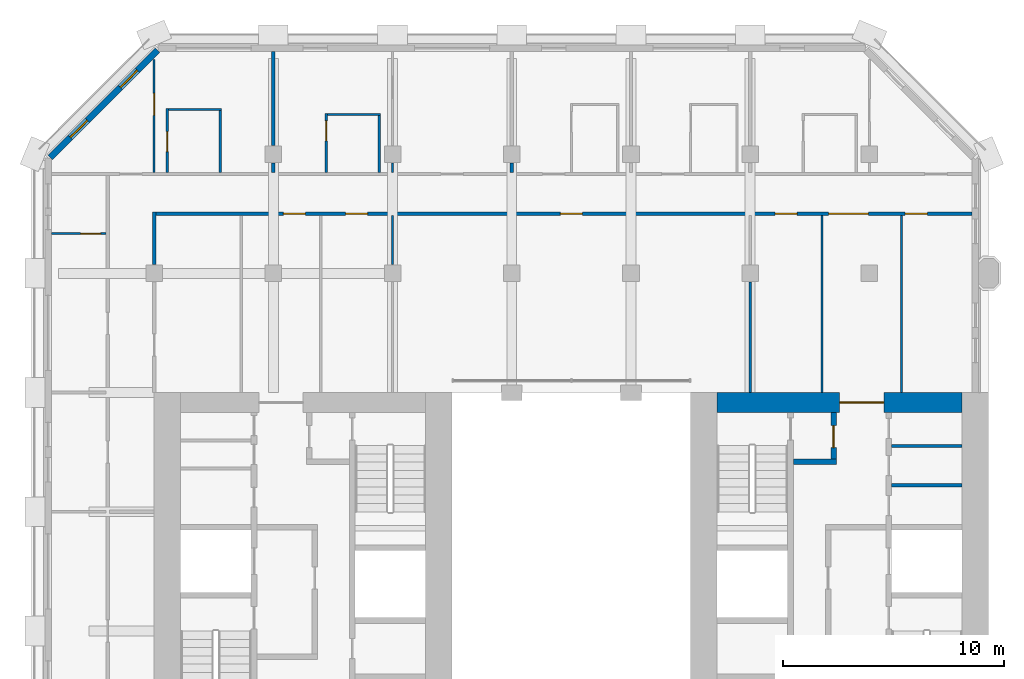
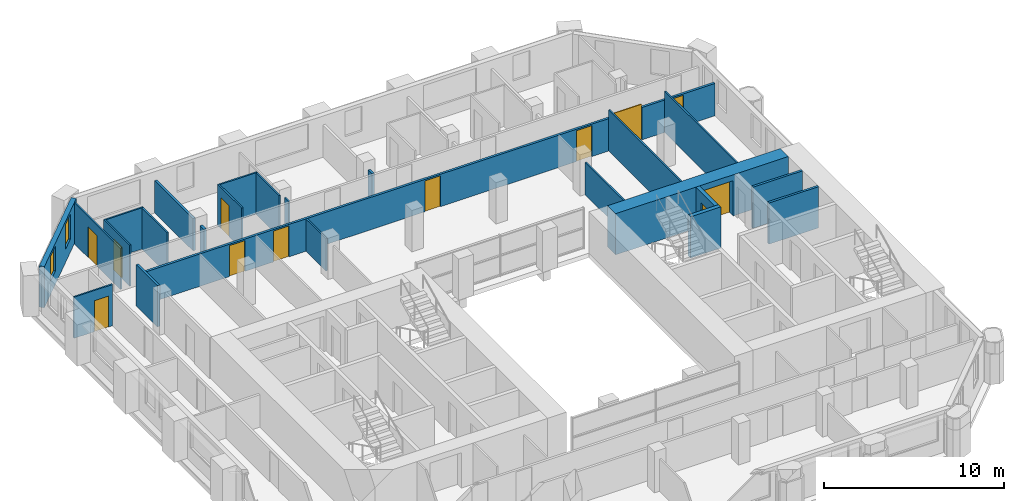
# One storey, part 9 of 14: 24 walls, 12 doors, 2 windows, 14 openings.
"""IFC4 building model written with IfcOpenShell, lengths in metres."""

from ifc_helpers import new_model, si_unit, direction, frame, frame_2d, origin, place, context, subcontext, project, spatial, rectangle, extrude, material, layer, layer_set, type_object, element, fill, save


model = new_model("IFC4")

# Units and contexts
model_context = context("Model", 3, precision=1e-05, world=origin(), true_north=direction((0.0, 1.0)))
body_context = subcontext(model_context, "Body", "Model", "MODEL_VIEW")
ifc_project = project(units=[si_unit("LENGTHUNIT", "METRE"), si_unit("AREAUNIT", "SQUARE_METRE"), si_unit("VOLUMEUNIT", "CUBIC_METRE"), si_unit("PLANEANGLEUNIT", "RADIAN"), si_unit("MASSUNIT", "GRAM", prefix="KILO")], contexts=[model_context])

# Site, building, storey
site_placement = place(None, origin())
site = spatial("IfcSite", under=ifc_project, at=site_placement, CompositionType="ELEMENT")
building_placement = place(site_placement, origin())
building = spatial("IfcBuilding", under=site, at=building_placement, Name="Tabaq Tower and Sports Hall", CompositionType="ELEMENT")
storey_placement = place(building_placement, frame((0.0, 0.0, 230.199951171875)))
storey = spatial("IfcBuildingStorey", under=building, at=storey_placement, Name="L58", CompositionType="ELEMENT", Elevation=230.199951171875)

# Walls
ifc_material_1 = material(Name="Blockwork", Category="masonry")
ifc_layer_1 = layer(ifc_material_1, 0.14990234375)
ifc_layer_set_1 = layer_set([ifc_layer_1], Name="Core room partition 150 Blockwork")
wall_type_1 = type_object("IfcWallType", Name="Core room partition 150 Blockwork", PredefinedType="PARTITIONING", material=ifc_layer_set_1)
for number, where, z_axis, x_axis, name in (
    (1, (38.800048828125, 28.200927734375, 0.0), (0.0, 0.0, 1.0), (1.0, 0.0, 0.0), "Core room partition E L58"),
    (2, (38.800048828125, 29.97705078125, 0.0), (0.0, 0.0, 1.0), (1.0, 0.0, 0.0), "Core room partition E L58"),
):
    element("IfcWall", number, at=place(storey_placement, frame(where, z_axis=z_axis, x_axis=x_axis)), inside=storey, type_object=wall_type_1, Name=name, PredefinedType="PARTITIONING", context=body_context, shape_type="SweptSolid", body=[
        extrude(rectangle(XDim=3.199951171875, YDim=0.14990234375, at=frame_2d((1.60009765625, 0.0))), origin(), (0.0, 0.0, 1.0), 2.800048828125),
    ])

# Wall, opening, door
ifc_material_2 = material(Name="Concrete C50/60", Category="concrete")
ifc_layer_2 = layer(ifc_material_2, 0.89990234375)
ifc_layer_set_2 = layer_set([ifc_layer_2], Name="Core wall 900 Concrete C50/60")
wall_type_2 = type_object("IfcWallType", Name="Core wall 900 Concrete C50/60", PredefinedType="SOLIDWALL", material=ifc_layer_set_2)
wall_1_placement = place(storey_placement, frame((30.89990234375, 31.949951171875, 0.0), z_axis=(0.0, 0.0, 1.0), x_axis=(1.0, 0.0, 0.0)))
wall_1 = element("IfcWall", 3, at=wall_1_placement, inside=storey, type_object=wall_type_2, Name="Core wall E L58", PredefinedType="SOLIDWALL", context=body_context, shape_type="SweptSolid", body=[
    extrude(rectangle(XDim=11.10009765625, YDim=0.89990234375, at=frame_2d((5.550048828125, 0.0))), origin(), (0.0, 0.0, 1.0), 2.800048828125),
])
opening_1_placement = place(wall_1_placement, frame((5.550048828125, 0.0, 0.0)))
opening_1 = element("IfcOpeningElement", 4, at=opening_1_placement, cuts=wall_1, Name="Opening PD-EL58-02", PredefinedType="OPENING", context=body_context, shape_type="SweptSolid", body=[
    extrude(rectangle(XDim=2.0, YDim=2.39990234375, at=frame_2d((1.0, 1.199951171875))), frame((0.0, 0.449951171875, 0.0), z_axis=(0.0, -1.0, 0.0), x_axis=(1.0, 0.0, 0.0)), (0.0, 0.0, 1.0), 0.89990234375),
])
ifc_material_3 = material(Name="Steel fire door", Category="steel")
door_type_1 = type_object("IfcDoorType", Name="Core entrance door 2000", OperationType="DOUBLE_DOOR_SINGLE_SWING", PredefinedType="DOOR", material=ifc_material_3)
door_1_placement = place(opening_1_placement, origin())
door_1 = element("IfcDoor", 5, at=door_1_placement, inside=storey, type_object=door_type_1, Name="Core entrance north E L58", OperationType="DOUBLE_DOOR_SINGLE_SWING", OverallHeight=2.39990234375, OverallWidth=2.0, PredefinedType="DOOR", context=body_context, shape_type="SweptSolid", body=[
    extrude(rectangle(XDim=2.0, YDim=2.39990234375, at=frame_2d((1.0, 1.199951171875))), frame((0.0, 0.02490234375, 0.0), z_axis=(0.0, -1.0, 0.0), x_axis=(1.0, 0.0, 0.0)), (0.0, 0.0, 1.0), 0.050048828125),
])
fill(opening_1, door_1)

ifc_material_4 = material(Name="Gypsum board on steel studs", Category="steel")
ifc_layer_3 = layer(ifc_material_4, 0.10009765625)
ifc_layer_set_3 = layer_set([ifc_layer_3], Name="Partition 100 Gypsum board")
wall_type_3 = type_object("IfcWallType", Name="Partition 100 Gypsum board", PredefinedType="PARTITIONING", material=ifc_layer_set_3)
wall_2_placement = place(storey_placement, frame((3.22509765625, 39.60009765625, 0.0), z_axis=(0.0, 0.0, 1.0), x_axis=(-1.0, 0.0, 0.0)))
wall_2 = element("IfcWall", 6, at=wall_2_placement, inside=storey, type_object=wall_type_3, Name="Partition wall L58", PredefinedType="PARTITIONING", context=body_context, shape_type="SweptSolid", body=[
    extrude(rectangle(XDim=2.47412109375, YDim=0.10009765625, at=frame_2d((1.237060546875, 0.0))), origin(), (0.0, 0.0, 1.0), 2.800048828125),
])
opening_2_placement = place(wall_2_placement, frame((0.25, 0.0, 0.0)))
opening_2 = element("IfcOpeningElement", 7, at=opening_2_placement, cuts=wall_2, Name="Opening L58-001", PredefinedType="OPENING", context=body_context, shape_type="SweptSolid", body=[
    extrude(rectangle(XDim=0.89990234375, YDim=2.10009765625, at=frame_2d((0.449951171875, 1.050048828125))), frame((0.0, 0.050048828125, 0.0), z_axis=(0.0, -1.0, 0.0), x_axis=(1.0, 0.0, 0.0)), (0.0, 0.0, 1.0), 0.10009765625),
])
ifc_material_5 = material(Name="Timber leaf in steel frame", Category="steel")
door_type_2 = type_object("IfcDoorType", Name="Internal door 900 right hand", OperationType="SINGLE_SWING_RIGHT", PredefinedType="DOOR", material=ifc_material_5)
door_2_placement = place(opening_2_placement, origin())
door_2 = element("IfcDoor", 8, at=door_2_placement, inside=storey, type_object=door_type_2, Name="Internal door L58-001", OperationType="SINGLE_SWING_RIGHT", OverallHeight=2.10009765625, OverallWidth=0.89990234375, PredefinedType="DOOR", context=body_context, shape_type="SweptSolid", body=[
    extrude(rectangle(XDim=0.89990234375, YDim=2.10009765625, at=frame_2d((0.449951171875, 1.050048828125))), frame((0.0, 0.02490234375, 0.0), z_axis=(0.0, -1.0, 0.0), x_axis=(1.0, 0.0, 0.0)), (0.0, 0.0, 1.0), 0.050048828125),
])
fill(opening_2, door_2)

wall_3_placement = place(storey_placement, frame((13.199951171875, 42.375, 0.0), z_axis=(0.0, 0.0, 1.0), x_axis=(0.0, 1.0, 0.0)))
wall_3 = element("IfcWall", 9, at=wall_3_placement, inside=storey, type_object=wall_type_3, Name="Partition wall L58", PredefinedType="PARTITIONING", context=body_context, shape_type="SweptSolid", body=[
    extrude(rectangle(XDim=2.675048828125, YDim=0.10009765625, at=frame_2d((1.33740234375, 0.0))), origin(), (0.0, 0.0, 1.0), 2.800048828125),
])
opening_3_placement = place(wall_3_placement, frame((1.425048828125, 0.0, 0.0)))
opening_3 = element("IfcOpeningElement", 10, at=opening_3_placement, cuts=wall_3, Name="Opening L58-005", PredefinedType="OPENING", context=body_context, shape_type="SweptSolid", body=[
    extrude(rectangle(XDim=0.89990234375, YDim=2.10009765625, at=frame_2d((0.449951171875, 1.050048828125))), frame((0.0, 0.050048828125, 0.0), z_axis=(0.0, -1.0, 0.0), x_axis=(1.0, 0.0, 0.0)), (0.0, 0.0, 1.0), 0.10009765625),
])
door_3_placement = place(opening_3_placement, origin())
door_3 = element("IfcDoor", 11, at=door_3_placement, inside=storey, type_object=door_type_2, Name="Internal door L58-005", OperationType="SINGLE_SWING_RIGHT", OverallHeight=2.10009765625, OverallWidth=0.89990234375, PredefinedType="DOOR", context=body_context, shape_type="SweptSolid", body=[
    extrude(rectangle(XDim=0.89990234375, YDim=2.10009765625, at=frame_2d((0.449951171875, 1.050048828125))), frame((0.0, 0.02490234375, 0.0), z_axis=(0.0, -1.0, 0.0), x_axis=(1.0, 0.0, 0.0)), (0.0, 0.0, 1.0), 0.050048828125),
])
fill(opening_3, door_3)

# Walls
wall_4_placement = place(storey_placement, frame((13.25, 45.0, 0.0), z_axis=(0.0, 0.0, 1.0), x_axis=(1.0, 0.0, 0.0)))
element("IfcWall", 12, at=wall_4_placement, inside=storey, type_object=wall_type_3, Name="Partition wall L58", PredefinedType="PARTITIONING", context=body_context, shape_type="SweptSolid", body=[
    extrude(rectangle(XDim=2.39990234375, YDim=0.10009765625, at=frame_2d((1.199951171875, 0.0))), origin(), (0.0, 0.0, 1.0), 2.800048828125),
])
wall_5_placement = place(storey_placement, frame((15.60009765625, 44.949951171875, 0.0), z_axis=(0.0, 0.0, 1.0), x_axis=(0.0, -1.0, 0.0)))
element("IfcWall", 13, at=wall_5_placement, inside=storey, type_object=wall_type_3, Name="Partition wall L58", PredefinedType="PARTITIONING", context=body_context, shape_type="SweptSolid", body=[
    extrude(rectangle(XDim=2.574951171875, YDim=0.10009765625, at=frame_2d((1.28759765625, 0.0))), origin(), (0.0, 0.0, 1.0), 2.800048828125),
])
wall_6_placement = place(storey_placement, frame((16.199951171875, 42.375, 0.0), z_axis=(0.0, 0.0, 1.0), x_axis=(0.0, 1.0, 0.0)))
element("IfcWall", 14, at=wall_6_placement, inside=storey, type_object=wall_type_3, Name="Partition wall L58", PredefinedType="PARTITIONING", context=body_context, shape_type="SweptSolid", body=[
    extrude(rectangle(XDim=0.429931640625, YDim=0.10009765625, at=frame_2d((0.21484375, 0.0))), origin(), (0.0, 0.0, 1.0), 2.199951171875),
])

# Wall, opening, door
wall_7_placement = place(storey_placement, frame((5.39990234375, 47.48779296875, 0.0), z_axis=(0.0, 0.0, 1.0), x_axis=(0.0, -1.0, 0.0)))
wall_7 = element("IfcWall", 15, at=wall_7_placement, inside=storey, type_object=wall_type_3, Name="Partition wall L58", PredefinedType="PARTITIONING", context=body_context, shape_type="SweptSolid", body=[
    extrude(rectangle(XDim=5.11279296875, YDim=0.10009765625, at=frame_2d((2.556396484375, 0.0))), origin(), (0.0, 0.0, 1.0), 2.800048828125),
])
opening_4_placement = place(wall_7_placement, frame((1.537841796875, 0.0, 0.0)))
opening_4 = element("IfcOpeningElement", 16, at=opening_4_placement, cuts=wall_7, Name="Opening L58-031", PredefinedType="OPENING", context=body_context, shape_type="SweptSolid", body=[
    extrude(rectangle(XDim=1.0, YDim=2.10009765625, at=frame_2d((0.5, 1.050048828125))), frame((0.0, 0.050048828125, 0.0), z_axis=(0.0, -1.0, 0.0), x_axis=(1.0, 0.0, 0.0)), (0.0, 0.0, 1.0), 0.10009765625),
])
ifc_material_6 = material(Name="Timber leaf in steel frame", Category="steel")
door_type_3 = type_object("IfcDoorType", Name="Internal door 1000 left hand", OperationType="SINGLE_SWING_LEFT", PredefinedType="DOOR", material=ifc_material_6)
door_4_placement = place(opening_4_placement, origin())
door_4 = element("IfcDoor", 17, at=door_4_placement, inside=storey, type_object=door_type_3, Name="Internal door L58-031", OperationType="SINGLE_SWING_LEFT", OverallHeight=2.10009765625, OverallWidth=1.0, PredefinedType="DOOR", context=body_context, shape_type="SweptSolid", body=[
    extrude(rectangle(XDim=1.0, YDim=2.10009765625, at=frame_2d((0.5, 1.050048828125))), frame((0.0, 0.02490234375, 0.0), z_axis=(0.0, -1.0, 0.0), x_axis=(1.0, 0.0, 0.0)), (0.0, 0.0, 1.0), 0.050048828125),
])
fill(opening_4, door_4)

wall_8_placement = place(storey_placement, frame((6.0, 42.375, 0.0), z_axis=(0.0, 0.0, 1.0), x_axis=(0.0, 1.0, 0.0)))
wall_8 = element("IfcWall", 18, at=wall_8_placement, inside=storey, type_object=wall_type_3, Name="Partition wall L58", PredefinedType="PARTITIONING", context=body_context, shape_type="SweptSolid", body=[
    extrude(rectangle(XDim=2.89990234375, YDim=0.10009765625, at=frame_2d((1.449951171875, 0.0))), origin(), (0.0, 0.0, 1.0), 2.800048828125),
])
opening_5_placement = place(wall_8_placement, frame((0.93798828125, 0.0, 0.0)))
opening_5 = element("IfcOpeningElement", 19, at=opening_5_placement, cuts=wall_8, Name="Opening L58-006", PredefinedType="OPENING", context=body_context, shape_type="SweptSolid", body=[
    extrude(rectangle(XDim=0.89990234375, YDim=2.10009765625, at=frame_2d((0.449951171875, 1.050048828125))), frame((0.0, 0.050048828125, 0.0), z_axis=(0.0, -1.0, 0.0), x_axis=(1.0, 0.0, 0.0)), (0.0, 0.0, 1.0), 0.10009765625),
])
ifc_material_7 = material(Name="Timber leaf in steel frame", Category="steel")
door_type_4 = type_object("IfcDoorType", Name="Internal door 900 left hand", OperationType="SINGLE_SWING_LEFT", PredefinedType="DOOR", material=ifc_material_7)
door_5_placement = place(opening_5_placement, origin())
door_5 = element("IfcDoor", 20, at=door_5_placement, inside=storey, type_object=door_type_4, Name="Internal door L58-006", OperationType="SINGLE_SWING_LEFT", OverallHeight=2.10009765625, OverallWidth=0.89990234375, PredefinedType="DOOR", context=body_context, shape_type="SweptSolid", body=[
    extrude(rectangle(XDim=0.89990234375, YDim=2.10009765625, at=frame_2d((0.449951171875, 1.050048828125))), frame((0.0, 0.02490234375, 0.0), z_axis=(0.0, -1.0, 0.0), x_axis=(1.0, 0.0, 0.0)), (0.0, 0.0, 1.0), 0.050048828125),
])
fill(opening_5, door_5)

# Walls
wall_9_placement = place(storey_placement, frame((6.050048828125, 45.22509765625, 0.0), z_axis=(0.0, 0.0, 1.0), x_axis=(1.0, 0.0, 0.0)))
element("IfcWall", 21, at=wall_9_placement, inside=storey, type_object=wall_type_3, Name="Partition wall L58", PredefinedType="PARTITIONING", context=body_context, shape_type="SweptSolid", body=[
    extrude(rectangle(XDim=2.39990234375, YDim=0.10009765625, at=frame_2d((1.199951171875, 0.0))), origin(), (0.0, 0.0, 1.0), 2.800048828125),
])
wall_10_placement = place(storey_placement, frame((8.39990234375, 45.175048828125, 0.0), z_axis=(0.0, 0.0, 1.0), x_axis=(0.0, -1.0, 0.0)))
element("IfcWall", 22, at=wall_10_placement, inside=storey, type_object=wall_type_3, Name="Partition wall L58", PredefinedType="PARTITIONING", context=body_context, shape_type="SweptSolid", body=[
    extrude(rectangle(XDim=2.800048828125, YDim=0.10009765625, at=frame_2d((1.39990234375, 0.0))), origin(), (0.0, 0.0, 1.0), 2.800048828125),
])
wall_11_placement = place(storey_placement, frame((32.39990234375, 32.39990234375, 0.0), z_axis=(0.0, 0.0, 1.0), x_axis=(0.0, 1.0, 0.0)))
element("IfcWall", 23, at=wall_11_placement, inside=storey, type_object=wall_type_3, Name="Partition wall L58", PredefinedType="PARTITIONING", context=body_context, shape_type="SweptSolid", body=[
    extrude(rectangle(XDim=5.005126953125, YDim=0.10009765625, at=frame_2d((2.50244140625, 0.0))), origin(), (0.0, 0.0, 1.0), 2.199951171875),
])
wall_12_placement = place(storey_placement, frame((16.199951171875, 40.425048828125, 0.0), z_axis=(0.0, 0.0, 1.0), x_axis=(0.0, -1.0, 0.0)))
element("IfcWall", 24, at=wall_12_placement, inside=storey, type_object=wall_type_3, Name="Partition wall L58", PredefinedType="PARTITIONING", context=body_context, shape_type="SweptSolid", body=[
    extrude(rectangle(XDim=2.22998046875, YDim=0.10009765625, at=frame_2d((1.114990234375, 0.0))), origin(), (0.0, 0.0, 1.0), 2.199951171875),
])
for number, where, z_axis, x_axis, name in (
    (25, (39.25, 32.39990234375, 0.0), (0.0, 0.0, 1.0), (0.0, 1.0, 0.0), "Partition wall L58"),
    (26, (35.64990234375, 40.425048828125, 0.0), (0.0, 0.0, 1.0), (0.0, -1.0, 0.0), "Partition wall L58"),
):
    element("IfcWall", number, at=place(storey_placement, frame(where, z_axis=z_axis, x_axis=x_axis)), inside=storey, type_object=wall_type_3, Name=name, PredefinedType="PARTITIONING", context=body_context, shape_type="SweptSolid", body=[
        extrude(rectangle(XDim=8.025146484375, YDim=0.10009765625, at=frame_2d((4.0126953125, 0.0))), origin(), (0.0, 0.0, 1.0), 2.800048828125),
    ])
ifc_material_8 = material(Name="Blockwork", Category="masonry")
ifc_layer_4 = layer(ifc_material_8, 0.14990234375)
ifc_layer_set_4 = layer_set([ifc_layer_4], Name="Separating wall 150 Blockwork")
wall_type_4 = type_object("IfcWallType", Name="Separating wall 150 Blockwork", PredefinedType="PARTITIONING", material=ifc_layer_set_4)
wall_13_placement = place(storey_placement, frame((21.60009765625, 42.804931640625, 0.0), z_axis=(0.0, 0.0, 1.0), x_axis=(0.0, -1.0, 0.0)))
element("IfcWall", 27, at=wall_13_placement, inside=storey, type_object=wall_type_4, Name="Separating wall L58", PredefinedType="PARTITIONING", context=body_context, shape_type="SweptSolid", body=[
    extrude(rectangle(XDim=0.429931640625, YDim=0.14990234375, at=frame_2d((0.21484375, 0.0))), origin(), (0.0, 0.0, 1.0), 2.199951171875),
])
wall_14_placement = place(storey_placement, frame((10.800048828125, 47.84912109375, 0.0), z_axis=(0.0, 0.0, 1.0), x_axis=(0.0, -1.0, 0.0)))
element("IfcWall", 28, at=wall_14_placement, inside=storey, type_object=wall_type_4, Name="Separating wall L58", PredefinedType="PARTITIONING", context=body_context, shape_type="SweptSolid", body=[
    extrude(rectangle(XDim=4.254150390625, YDim=0.14990234375, at=frame_2d((2.126953125, 0.0))), origin(), (0.0, 0.0, 1.0), 2.199951171875),
])
wall_15_placement = place(storey_placement, frame((10.800048828125, 42.804931640625, 0.0), z_axis=(0.0, 0.0, 1.0), x_axis=(0.0, -1.0, 0.0)))
element("IfcWall", 29, at=wall_15_placement, inside=storey, type_object=wall_type_4, Name="Separating wall L58", PredefinedType="PARTITIONING", context=body_context, shape_type="SweptSolid", body=[
    extrude(rectangle(XDim=0.429931640625, YDim=0.14990234375, at=frame_2d((0.21484375, 0.0))), origin(), (0.0, 0.0, 1.0), 2.199951171875),
])
wall_16_placement = place(storey_placement, frame((5.39990234375, 38.195068359375, 0.0), z_axis=(0.0, 0.0, 1.0), x_axis=(0.0, 1.0, 0.0)))
element("IfcWall", 30, at=wall_16_placement, inside=storey, type_object=wall_type_4, Name="Separating wall L58", PredefinedType="PARTITIONING", context=body_context, shape_type="SweptSolid", body=[
    extrude(rectangle(XDim=2.3798828125, YDim=0.14990234375, at=frame_2d((1.18994140625, 0.0))), origin(), (0.0, 0.0, 1.0), 2.800048828125),
])

# Wall, openings, doors
wall_17_placement = place(storey_placement, frame((42.448974609375, 40.5, 0.0), z_axis=(0.0, 0.0, 1.0), x_axis=(-1.0, 0.0, 0.0)))
wall_17 = element("IfcWall", 31, at=wall_17_placement, inside=storey, type_object=wall_type_4, Name="Separating wall L58", PredefinedType="PARTITIONING", context=body_context, shape_type="SweptSolid", body=[
    extrude(rectangle(XDim=36.973876953125, YDim=0.14990234375, at=frame_2d((18.48681640625, 0.0))), origin(), (0.0, 0.0, 1.0), 2.199951171875),
])
opening_6_placement = place(wall_17_placement, frame((17.64892578125, 0.0, 0.0)))
opening_6 = element("IfcOpeningElement", 32, at=opening_6_placement, cuts=wall_17, Name="Opening L58-007", PredefinedType="OPENING", context=body_context, shape_type="SweptSolid", body=[
    extrude(rectangle(XDim=1.0, YDim=2.10009765625, at=frame_2d((0.5, 1.050048828125))), frame((0.0, 0.074951171875, 0.0), z_axis=(0.0, -1.0, 0.0), x_axis=(1.0, 0.0, 0.0)), (0.0, 0.0, 1.0), 0.14990234375),
])
opening_7_placement = place(wall_17_placement, frame((2.029052734375, 0.0, 0.0)))
opening_7 = element("IfcOpeningElement", 33, at=opening_7_placement, cuts=wall_17, Name="Opening L58-009", PredefinedType="OPENING", context=body_context, shape_type="SweptSolid", body=[
    extrude(rectangle(XDim=1.0, YDim=2.10009765625, at=frame_2d((0.5, 1.050048828125))), frame((0.0, 0.074951171875, 0.0), z_axis=(0.0, -1.0, 0.0), x_axis=(1.0, 0.0, 0.0)), (0.0, 0.0, 1.0), 0.14990234375),
])
opening_8_placement = place(wall_17_placement, frame((27.3740234375, 0.0, 0.0)))
opening_8 = element("IfcOpeningElement", 34, at=opening_8_placement, cuts=wall_17, Name="Opening L58-010", PredefinedType="OPENING", context=body_context, shape_type="SweptSolid", body=[
    extrude(rectangle(XDim=1.0, YDim=2.10009765625, at=frame_2d((0.5, 1.050048828125))), frame((0.0, 0.074951171875, 0.0), z_axis=(0.0, -1.0, 0.0), x_axis=(1.0, 0.0, 0.0)), (0.0, 0.0, 1.0), 0.14990234375),
])
opening_9_placement = place(wall_17_placement, frame((7.924072265625, 0.0, 0.0)))
opening_9 = element("IfcOpeningElement", 35, at=opening_9_placement, cuts=wall_17, Name="Opening L58-012", PredefinedType="OPENING", context=body_context, shape_type="SweptSolid", body=[
    extrude(rectangle(XDim=1.0, YDim=2.10009765625, at=frame_2d((0.5, 1.050048828125))), frame((0.0, 0.074951171875, 0.0), z_axis=(0.0, -1.0, 0.0), x_axis=(1.0, 0.0, 0.0)), (0.0, 0.0, 1.0), 0.14990234375),
])
opening_10_placement = place(wall_17_placement, frame((4.698974609375, 0.0, 0.0)))
opening_10 = element("IfcOpeningElement", 36, at=opening_10_placement, cuts=wall_17, Name="Opening L58-033", PredefinedType="OPENING", context=body_context, shape_type="SweptSolid", body=[
    extrude(rectangle(XDim=1.800048828125, YDim=2.39990234375, at=frame_2d((0.89990234375, 1.199951171875))), frame((0.0, 0.074951171875, 0.0), z_axis=(0.0, -1.0, 0.0), x_axis=(1.0, 0.0, 0.0)), (0.0, 0.0, 1.0), 0.14990234375),
])
opening_11_placement = place(wall_17_placement, frame((30.198974609375, 0.0, 0.0)))
opening_11 = element("IfcOpeningElement", 37, at=opening_11_placement, cuts=wall_17, Name="Opening L58-034", PredefinedType="OPENING", context=body_context, shape_type="SweptSolid", body=[
    extrude(rectangle(XDim=1.0, YDim=2.10009765625, at=frame_2d((0.5, 1.050048828125))), frame((0.0, 0.074951171875, 0.0), z_axis=(0.0, -1.0, 0.0), x_axis=(1.0, 0.0, 0.0)), (0.0, 0.0, 1.0), 0.14990234375),
])
door_6_placement = place(opening_7_placement, origin())
door_6 = element("IfcDoor", 38, at=door_6_placement, inside=storey, type_object=door_type_3, Name="Internal door L58-009", OperationType="SINGLE_SWING_LEFT", OverallHeight=2.10009765625, OverallWidth=1.0, PredefinedType="DOOR", context=body_context, shape_type="SweptSolid", body=[
    extrude(rectangle(XDim=1.0, YDim=2.10009765625, at=frame_2d((0.5, 1.050048828125))), frame((0.0, 0.02490234375, 0.0), z_axis=(0.0, -1.0, 0.0), x_axis=(1.0, 0.0, 0.0)), (0.0, 0.0, 1.0), 0.050048828125),
])
fill(opening_7, door_6)
door_7_placement = place(opening_8_placement, origin())
door_7 = element("IfcDoor", 39, at=door_7_placement, inside=storey, type_object=door_type_3, Name="Internal door L58-010", OperationType="SINGLE_SWING_LEFT", OverallHeight=2.10009765625, OverallWidth=1.0, PredefinedType="DOOR", context=body_context, shape_type="SweptSolid", body=[
    extrude(rectangle(XDim=1.0, YDim=2.10009765625, at=frame_2d((0.5, 1.050048828125))), frame((0.0, 0.02490234375, 0.0), z_axis=(0.0, -1.0, 0.0), x_axis=(1.0, 0.0, 0.0)), (0.0, 0.0, 1.0), 0.050048828125),
])
fill(opening_8, door_7)
door_8_placement = place(opening_11_placement, origin())
door_8 = element("IfcDoor", 40, at=door_8_placement, inside=storey, type_object=door_type_3, Name="Internal door L58-034", OperationType="SINGLE_SWING_LEFT", OverallHeight=2.10009765625, OverallWidth=1.0, PredefinedType="DOOR", context=body_context, shape_type="SweptSolid", body=[
    extrude(rectangle(XDim=1.0, YDim=2.10009765625, at=frame_2d((0.5, 1.050048828125))), frame((0.0, 0.02490234375, 0.0), z_axis=(0.0, -1.0, 0.0), x_axis=(1.0, 0.0, 0.0)), (0.0, 0.0, 1.0), 0.050048828125),
])
fill(opening_11, door_8)
ifc_material_9 = material(Name="Timber leaf in steel frame", Category="steel")
door_type_5 = type_object("IfcDoorType", Name="Internal door 1000 right hand", OperationType="SINGLE_SWING_RIGHT", PredefinedType="DOOR", material=ifc_material_9)
door_9_placement = place(opening_6_placement, origin())
door_9 = element("IfcDoor", 41, at=door_9_placement, inside=storey, type_object=door_type_5, Name="Internal door L58-007", OperationType="SINGLE_SWING_RIGHT", OverallHeight=2.10009765625, OverallWidth=1.0, PredefinedType="DOOR", context=body_context, shape_type="SweptSolid", body=[
    extrude(rectangle(XDim=1.0, YDim=2.10009765625, at=frame_2d((0.5, 1.050048828125))), frame((0.0, 0.02490234375, 0.0), z_axis=(0.0, -1.0, 0.0), x_axis=(1.0, 0.0, 0.0)), (0.0, 0.0, 1.0), 0.050048828125),
])
fill(opening_6, door_9)
door_10_placement = place(opening_9_placement, origin())
door_10 = element("IfcDoor", 42, at=door_10_placement, inside=storey, type_object=door_type_5, Name="Internal door L58-012", OperationType="SINGLE_SWING_RIGHT", OverallHeight=2.10009765625, OverallWidth=1.0, PredefinedType="DOOR", context=body_context, shape_type="SweptSolid", body=[
    extrude(rectangle(XDim=1.0, YDim=2.10009765625, at=frame_2d((0.5, 1.050048828125))), frame((0.0, 0.02490234375, 0.0), z_axis=(0.0, -1.0, 0.0), x_axis=(1.0, 0.0, 0.0)), (0.0, 0.0, 1.0), 0.050048828125),
])
fill(opening_9, door_10)
ifc_material_10 = material(Name="Timber leaf in steel frame", Category="steel")
door_type_6 = type_object("IfcDoorType", Name="Internal door 1800", OperationType="DOUBLE_DOOR_SINGLE_SWING", PredefinedType="DOOR", material=ifc_material_10)
door_11_placement = place(opening_10_placement, origin())
door_11 = element("IfcDoor", 43, at=door_11_placement, inside=storey, type_object=door_type_6, Name="Internal door L58-033", OperationType="DOUBLE_DOOR_SINGLE_SWING", OverallHeight=2.39990234375, OverallWidth=1.800048828125, PredefinedType="DOOR", context=body_context, shape_type="SweptSolid", body=[
    extrude(rectangle(XDim=1.800048828125, YDim=2.39990234375, at=frame_2d((0.89990234375, 1.199951171875))), frame((0.0, 0.02490234375, 0.0), z_axis=(0.0, -1.0, 0.0), x_axis=(1.0, 0.0, 0.0)), (0.0, 0.0, 1.0), 0.050048828125),
])
fill(opening_10, door_11)

# Wall, opening, door
ifc_material_11 = material(Name="Concrete C40/50", Category="concrete")
ifc_layer_5 = layer(ifc_material_11, 0.25)
ifc_layer_set_5 = layer_set([ifc_layer_5], Name="Shaft and stair wall 250 Concrete C40/50")
wall_type_5 = type_object("IfcWallType", Name="Shaft and stair wall 250 Concrete C40/50", PredefinedType="SOLIDWALL", material=ifc_layer_set_5)
wall_18_placement = place(storey_placement, frame((36.175048828125, 29.39990234375, 0.0), z_axis=(0.0, 0.0, 1.0), x_axis=(0.0, 1.0, 0.0)))
wall_18 = element("IfcWall", 44, at=wall_18_placement, inside=storey, type_object=wall_type_5, Name="Fire-fighting lobby wall E L58", PredefinedType="SOLIDWALL", context=body_context, shape_type="SweptSolid", body=[
    extrude(rectangle(XDim=2.10009765625, YDim=0.25, at=frame_2d((1.050048828125, 0.0))), origin(), (0.0, 0.0, 1.0), 2.800048828125),
])
opening_12_placement = place(wall_18_placement, frame((0.5, 0.0, 0.0)))
opening_12 = element("IfcOpeningElement", 45, at=opening_12_placement, cuts=wall_18, Name="Opening FD-EL58-06", PredefinedType="OPENING", context=body_context, shape_type="SweptSolid", body=[
    extrude(rectangle(XDim=1.0, YDim=2.10009765625, at=frame_2d((0.5, 1.050048828125))), frame((0.0, 0.125, 0.0), z_axis=(0.0, -1.0, 0.0), x_axis=(1.0, 0.0, 0.0)), (0.0, 0.0, 1.0), 0.25),
])
ifc_material_12 = material(Name="Steel fire door", Category="steel")
door_type_7 = type_object("IfcDoorType", Name="Fire-fighting lobby door 1000", OperationType="SINGLE_SWING_LEFT", PredefinedType="DOOR", material=ifc_material_12)
door_12_placement = place(opening_12_placement, origin())
door_12 = element("IfcDoor", 46, at=door_12_placement, inside=storey, type_object=door_type_7, Name="Stair lobby door E L58", OperationType="SINGLE_SWING_LEFT", OverallHeight=2.10009765625, OverallWidth=1.0, PredefinedType="DOOR", context=body_context, shape_type="SweptSolid", body=[
    extrude(rectangle(XDim=1.0, YDim=2.10009765625, at=frame_2d((0.5, 1.050048828125))), frame((0.0, 0.02490234375, 0.0), z_axis=(0.0, -1.0, 0.0), x_axis=(1.0, 0.0, 0.0)), (0.0, 0.0, 1.0), 0.050048828125),
])
fill(opening_12, door_12)

# Wall
wall_19_placement = place(storey_placement, frame((34.35009765625, 29.27490234375, 0.0), z_axis=(0.0, 0.0, 1.0), x_axis=(1.0, 0.0, 0.0)))
element("IfcWall", 47, at=wall_19_placement, inside=storey, type_object=wall_type_5, Name="Fire-fighting lobby wall E L58", PredefinedType="SOLIDWALL", context=body_context, shape_type="SweptSolid", body=[
    extrude(rectangle(XDim=1.949951171875, YDim=0.25, at=frame_2d((0.97509765625, 0.0))), origin(), (0.0, 0.0, 1.0), 2.800048828125),
])

# Wall, openings, windows
ifc_material_13 = material(Name="White precast concrete C60/75", Category="concrete")
ifc_layer_6 = layer(ifc_material_13, 0.300048828125)
ifc_layer_set_6 = layer_set([ifc_layer_6], Name="White precast concrete C60/75 external wall 300")
wall_type_6 = type_object("IfcWallType", Name="White precast concrete C60/75 external wall 300", PredefinedType="SOLIDWALL", material=ifc_layer_set_6)
wall_20_placement = place(storey_placement, frame((5.549560546875, 47.901123046875, 0.0), z_axis=(0.0, 0.0, 1.0), x_axis=(-0.707106781187, -0.707106781187, 0.0)))
wall_20 = element("IfcWall", 48, at=wall_20_placement, inside=storey, type_object=wall_type_6, Name="External Wall L58 NW", PredefinedType="SOLIDWALL", context=body_context, shape_type="SweptSolid", body=[
    extrude(rectangle(XDim=6.85986328125, YDim=0.300048828125, at=frame_2d((3.429931640625, 0.0))), origin(), (0.0, 0.0, 1.0), 2.800048828125),
])
opening_13_placement = place(wall_20_placement, frame((1.27978515625, 0.0, 0.89990234375)))
opening_13 = element("IfcOpeningElement", 49, at=opening_13_placement, cuts=wall_20, Name="Opening W1B", PredefinedType="OPENING", context=body_context, shape_type="SweptSolid", body=[
    extrude(rectangle(XDim=1.10009765625, YDim=1.699951171875, at=frame_2d((0.550048828125, 0.85009765625))), frame((0.0, 0.16015625, 0.0), z_axis=(0.0, -1.0, 0.0), x_axis=(1.0, 0.0, 0.0)), (0.0, 0.0, 1.0), 0.320068359375),
])
opening_14_placement = place(wall_20_placement, frame((4.479736328125, 0.0, 0.89990234375)))
opening_14 = element("IfcOpeningElement", 50, at=opening_14_placement, cuts=wall_20, Name="Opening W1B", PredefinedType="OPENING", context=body_context, shape_type="SweptSolid", body=[
    extrude(rectangle(XDim=1.10009765625, YDim=1.699951171875, at=frame_2d((0.550048828125, 0.85009765625))), frame((0.0, 0.16015625, 0.0), z_axis=(0.0, -1.0, 0.0), x_axis=(1.0, 0.0, 0.0)), (0.0, 0.0, 1.0), 0.320068359375),
])
ifc_material_14 = material(Name="Aluminium framed clear glazing", Category="aluminium")
window_type = type_object("IfcWindowType", Name="Window W1B", PartitioningType="SINGLE_PANEL", PredefinedType="WINDOW", material=ifc_material_14)
window_1_placement = place(opening_13_placement, origin())
window_1 = element("IfcWindow", 51, at=window_1_placement, inside=storey, type_object=window_type, Name="Window W1B L58", OverallHeight=1.699951171875, OverallWidth=1.10009765625, PartitioningType="SINGLE_PANEL", PredefinedType="WINDOW", context=body_context, shape_type="SweptSolid", body=[
    extrude(rectangle(XDim=1.10009765625, YDim=1.699951171875, at=frame_2d((0.550048828125, 0.85009765625))), frame((0.0, 0.030029296875, 0.0), z_axis=(0.0, -1.0, 0.0), x_axis=(1.0, 0.0, 0.0)), (0.0, 0.0, 1.0), 0.06005859375),
])
fill(opening_13, window_1)
window_2_placement = place(opening_14_placement, origin())
window_2 = element("IfcWindow", 52, at=window_2_placement, inside=storey, type_object=window_type, Name="Window W1B L58", OverallHeight=1.699951171875, OverallWidth=1.10009765625, PartitioningType="SINGLE_PANEL", PredefinedType="WINDOW", context=body_context, shape_type="SweptSolid", body=[
    extrude(rectangle(XDim=1.10009765625, YDim=1.699951171875, at=frame_2d((0.550048828125, 0.85009765625))), frame((0.0, 0.030029296875, 0.0), z_axis=(0.0, -1.0, 0.0), x_axis=(1.0, 0.0, 0.0)), (0.0, 0.0, 1.0), 0.06005859375),
])
fill(opening_14, window_2)

save(model, "model.ifc")
